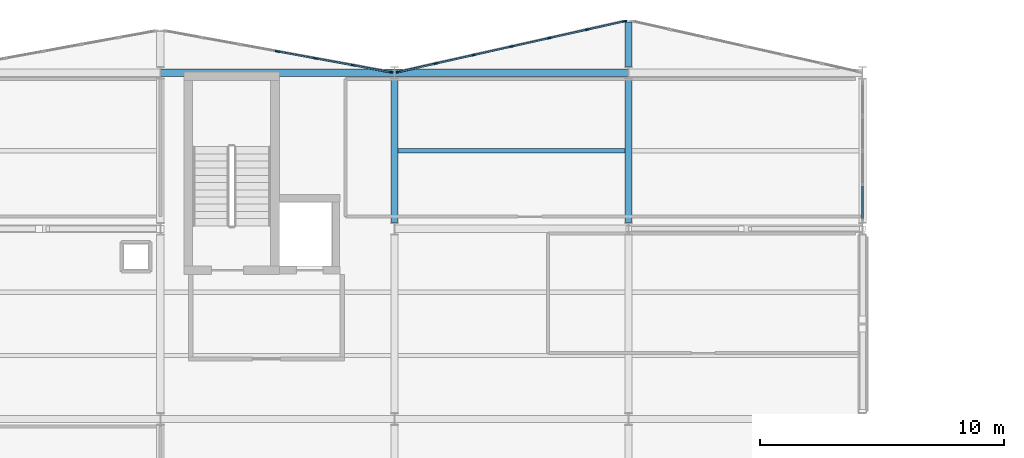
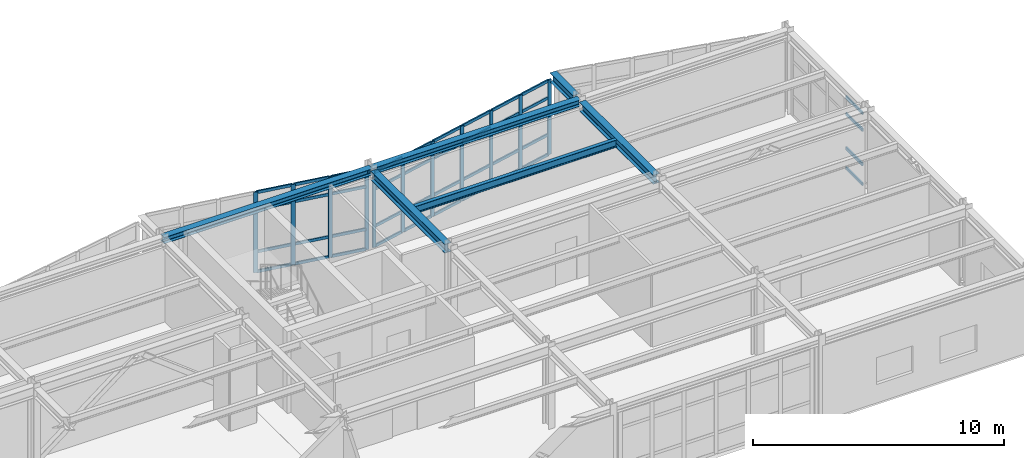
# One storey, part 41 of 76: 51 members, 6 beams, 3 elements without a shape of their own.
"""IFC4 building model written with IfcOpenShell, lengths in metres."""

from ifc_helpers import new_model, si_unit, direction, frame, origin, origin_2d, place, context, subcontext, project, spatial, rectangle, i_section, extrude, material, layer, layer_set, material_profile, profile_set, type_object, element, aggregate, save


model = new_model("IFC4")

# Units and contexts
model_context = context("Model", 3, precision=1e-05, world=origin(), true_north=direction((0.0, 1.0)))
body_context = subcontext(model_context, "Body", "Model", "MODEL_VIEW")
ifc_project = project(units=[si_unit("LENGTHUNIT", "METRE"), si_unit("AREAUNIT", "SQUARE_METRE"), si_unit("VOLUMEUNIT", "CUBIC_METRE"), si_unit("PLANEANGLEUNIT", "RADIAN"), si_unit("MASSUNIT", "GRAM", prefix="KILO")], contexts=[model_context])

# Site, building, storey
site_placement = place(None, origin())
site = spatial("IfcSite", under=ifc_project, at=site_placement, CompositionType="ELEMENT")
building_placement = place(site_placement, origin())
building = spatial("IfcBuilding", under=site, at=building_placement, Name="Nordkorset Police Headquarters", CompositionType="ELEMENT")
storey_placement = place(building_placement, frame((0.0, 0.0, 13.64990234375)))
storey = spatial("IfcBuildingStorey", under=building, at=storey_placement, Name="L03", CompositionType="ELEMENT", Elevation=13.64990234375)

# Beam
ifc_material_1 = material(Name="Steel S355J2", Category="steel")
ifc_material_profile_1 = material_profile(ifc_material_1, i_section(OverallWidth=0.169921875, OverallDepth=0.360107421875, WebThickness=0.008056640625, FlangeThickness=0.0126953125, FilletRadius=0.01806640625, at=origin_2d()), Name="IPE 360")
ifc_profile_set_1 = profile_set([ifc_material_profile_1], Name="Steel S355J2")
beam_type_1 = type_object("IfcBeamType", Name="Beam_IPE_360", PredefinedType="BEAM", material=ifc_profile_set_1)
beam_1_placement = place(storey_placement, frame((67.35009765625, 113.60009765625, 3.800048828125), z_axis=(1.0, 0.0, 0.0), x_axis=(0.0, 1.0, 0.0)))
element("IfcBeam", 1, at=beam_1_placement, inside=storey, type_object=beam_type_1, Name="Composite Floor Beam V2 L03 4-2-1", PredefinedType="BEAM", context=body_context, shape_type="SweptSolid", body=[
    extrude(i_section(OverallWidth=0.169921875, OverallDepth=0.360107421875, WebThickness=0.008056640625, FlangeThickness=0.0126953125, FilletRadius=0.01806640625, at=origin_2d()), origin(), (0.0, 0.0, 1.0), 9.2998046875),
])

# Curtain wall, members
ifc_material_2 = material(Name="Aluminium alloy AW-6060", Category="aluminium")
ifc_layer_1 = layer(ifc_material_2, 0.179931640625, Name="Aluminium alloy AW-6060")
ifc_layer_set_1 = layer_set([ifc_layer_1], Name="Aluminium alloy AW-6060")
curtain_wall_type_1 = type_object("IfcCurtainWallType", Name="CW_Unit_948x392", PredefinedType="USERDEFINED", material=ifc_layer_set_1)
curtain_wall_1_placement = place(storey_placement, origin())
curtain_wall_1 = element("IfcCurtainWall", 2, at=curtain_wall_1_placement, inside=storey, type_object=curtain_wall_type_1, Name="Unitised Curtain Wall L03 V2N-3", ObjectType="UNITISED CURTAIN WALL", PredefinedType="USERDEFINED")
ifc_material_3 = material(Name="Aluminium alloy AW-6060", Category="aluminium")
ifc_material_profile_2 = material_profile(ifc_material_3, rectangle(XDim=0.06494140625, YDim=0.179931640625, at=origin_2d()), Name="ALU MULL 65x180")
ifc_profile_set_2 = profile_set([ifc_material_profile_2], Name="Aluminium alloy AW-6060")
member_type_1 = type_object("IfcMemberType", Name="CW_Mullion_65x180", PredefinedType="MULLION", material=ifc_profile_set_2)
member_1_placement = place(storey_placement, frame((62.39990234375, 117.675048828125, 0.0), z_axis=(0.0, 0.0, 1.0), x_axis=(0.179335715876, 0.983787934979, 0.0)))
member_1 = element("IfcMember", 3, at=member_1_placement, type_object=member_type_1, Name="CW-65 mullion 4", PredefinedType="MULLION", context=body_context, shape_type="SweptSolid", body=[
    extrude(rectangle(XDim=0.06494140625, YDim=0.179931640625, at=origin_2d()), origin(), (0.0, 0.0, 1.0), 3.920166015625),
])
member_2_placement = place(storey_placement, frame((63.9541015625, 117.3916015625, 0.0), z_axis=(0.0, 0.0, 1.0), x_axis=(0.179335715876, 0.983787934979, 0.0)))
member_2 = element("IfcMember", 4, at=member_2_placement, type_object=member_type_1, Name="CW-65 mullion 5", PredefinedType="MULLION", context=body_context, shape_type="SweptSolid", body=[
    extrude(rectangle(XDim=0.06494140625, YDim=0.179931640625, at=origin_2d()), origin(), (0.0, 0.0, 1.0), 3.920166015625),
])
member_3_placement = place(storey_placement, frame((65.50830078125, 117.1083984375, 0.0), z_axis=(0.0, 0.0, 1.0), x_axis=(0.179335715876, 0.983787934979, 0.0)))
member_3 = element("IfcMember", 5, at=member_3_placement, type_object=member_type_1, Name="CW-65 mullion 6", PredefinedType="MULLION", context=body_context, shape_type="SweptSolid", body=[
    extrude(rectangle(XDim=0.06494140625, YDim=0.179931640625, at=origin_2d()), origin(), (0.0, 0.0, 1.0), 3.920166015625),
])
member_4_placement = place(storey_placement, frame((67.0302734375, 116.8310546875, 0.0), z_axis=(0.0, 0.0, 1.0), x_axis=(0.179335715876, 0.983787934979, 0.0)))
member_4 = element("IfcMember", 6, at=member_4_placement, type_object=member_type_1, Name="CW-65 mullion 7", PredefinedType="MULLION", context=body_context, shape_type="SweptSolid", body=[
    extrude(rectangle(XDim=0.06494140625, YDim=0.179931640625, at=origin_2d()), origin(), (0.0, 0.0, 1.0), 3.920166015625),
])

ifc_material_4 = material(Name="Aluminium alloy AW-6060", Category="aluminium")
ifc_layer_2 = layer(ifc_material_4, 0.179931640625, Name="Aluminium alloy AW-6060")
ifc_layer_set_2 = layer_set([ifc_layer_2], Name="Aluminium alloy AW-6060")
curtain_wall_type_2 = type_object("IfcCurtainWallType", Name="CW_Unit_956x365", PredefinedType="USERDEFINED", material=ifc_layer_set_2)
curtain_wall_2_placement = place(storey_placement, origin())
curtain_wall_2 = element("IfcCurtainWall", 7, at=curtain_wall_2_placement, inside=storey, type_object=curtain_wall_type_2, Name="Unitised Curtain Wall L03 V2N-4", ObjectType="UNITISED CURTAIN WALL", PredefinedType="USERDEFINED")
member_5_placement = place(storey_placement, frame((67.368408203125, 116.837646484375, 0.0), z_axis=(0.0, 0.0, 1.0), x_axis=(-0.218544020358, 0.975827090814, 0.0)))
member_5 = element("IfcMember", 8, at=member_5_placement, type_object=member_type_1, Name="CW-85 mullion 1", PredefinedType="MULLION", context=body_context, shape_type="SweptSolid", body=[
    extrude(rectangle(XDim=0.06494140625, YDim=0.179931640625, at=origin_2d()), origin(), (0.0, 0.0, 1.0), 3.650146484375),
])
member_6_placement = place(storey_placement, frame((68.89111328125, 117.1787109375, 0.0), z_axis=(0.0, 0.0, 1.0), x_axis=(-0.218544020358, 0.975827090814, 0.0)))
member_6 = element("IfcMember", 9, at=member_6_placement, type_object=member_type_1, Name="CW-85 mullion 2", PredefinedType="MULLION", context=body_context, shape_type="SweptSolid", body=[
    extrude(rectangle(XDim=0.06494140625, YDim=0.179931640625, at=origin_2d()), origin(), (0.0, 0.0, 1.0), 3.650146484375),
])
member_7_placement = place(storey_placement, frame((70.445556640625, 117.52685546875, 0.0), z_axis=(0.0, 0.0, 1.0), x_axis=(-0.218544020358, 0.975827090814, 0.0)))
member_7 = element("IfcMember", 10, at=member_7_placement, type_object=member_type_1, Name="CW-85 mullion 3", PredefinedType="MULLION", context=body_context, shape_type="SweptSolid", body=[
    extrude(rectangle(XDim=0.06494140625, YDim=0.179931640625, at=origin_2d()), origin(), (0.0, 0.0, 1.0), 3.650146484375),
])
member_8_placement = place(storey_placement, frame((72.0, 117.875, 0.0), z_axis=(0.0, 0.0, 1.0), x_axis=(-0.218544020358, 0.975827090814, 0.0)))
member_8 = element("IfcMember", 11, at=member_8_placement, type_object=member_type_1, Name="CW-85 mullion 4", PredefinedType="MULLION", context=body_context, shape_type="SweptSolid", body=[
    extrude(rectangle(XDim=0.06494140625, YDim=0.179931640625, at=origin_2d()), origin(), (0.0, 0.0, 1.0), 3.650146484375),
])
member_9_placement = place(storey_placement, frame((73.554443359375, 118.22314453125, 0.0), z_axis=(0.0, 0.0, 1.0), x_axis=(-0.218544020358, 0.975827090814, 0.0)))
member_9 = element("IfcMember", 12, at=member_9_placement, type_object=member_type_1, Name="CW-85 mullion 5", PredefinedType="MULLION", context=body_context, shape_type="SweptSolid", body=[
    extrude(rectangle(XDim=0.06494140625, YDim=0.179931640625, at=origin_2d()), origin(), (0.0, 0.0, 1.0), 3.650146484375),
])
member_10_placement = place(storey_placement, frame((75.10888671875, 118.5712890625, 0.0), z_axis=(0.0, 0.0, 1.0), x_axis=(-0.218544020358, 0.975827090814, 0.0)))
member_10 = element("IfcMember", 13, at=member_10_placement, type_object=member_type_1, Name="CW-85 mullion 6", PredefinedType="MULLION", context=body_context, shape_type="SweptSolid", body=[
    extrude(rectangle(XDim=0.06494140625, YDim=0.179931640625, at=origin_2d()), origin(), (0.0, 0.0, 1.0), 3.650146484375),
])
member_11_placement = place(storey_placement, frame((76.631591796875, 118.912353515625, 0.0), z_axis=(0.0, 0.0, 1.0), x_axis=(-0.218544020358, 0.975827090814, 0.0)))
member_11 = element("IfcMember", 14, at=member_11_placement, type_object=member_type_1, Name="CW-85 mullion 7", PredefinedType="MULLION", context=body_context, shape_type="SweptSolid", body=[
    extrude(rectangle(XDim=0.06494140625, YDim=0.179931640625, at=origin_2d()), origin(), (0.0, 0.0, 1.0), 3.650146484375),
])

# Member
ifc_material_5 = material(Name="Aluminium alloy AW-6060", Category="aluminium")
ifc_material_profile_3 = material_profile(ifc_material_5, rectangle(XDim=0.06494140625, YDim=0.139892578125, at=origin_2d()), Name="ALU TRAN 65x140")
ifc_profile_set_3 = profile_set([ifc_material_profile_3], Name="Aluminium alloy AW-6060")
member_type_2 = type_object("IfcMemberType", Name="CW_Transom_65x140", PredefinedType="USERDEFINED", material=ifc_profile_set_3)
member_12_placement = place(storey_placement, frame((62.431884765625, 117.669189453125, 0.03271484375), z_axis=(0.983779529869, -0.179381817946, 0.0), x_axis=(0.179381817946, 0.983779529869, 0.0)))
member_12 = element("IfcMember", 15, at=member_12_placement, type_object=member_type_2, Name="CW-65 transom 4.1", ObjectType="TRANSOM", PredefinedType="USERDEFINED", context=body_context, shape_type="SweptSolid", body=[
    extrude(rectangle(XDim=0.06494140625, YDim=0.139892578125, at=origin_2d()), origin(), (0.0, 0.0, 1.0), 1.514892578125),
])

member_13_placement = place(storey_placement, frame((62.431884765625, 117.669189453125, 1.0), z_axis=(0.983779529869, -0.179381817946, 0.0), x_axis=(0.179381817946, 0.983779529869, 0.0)))
member_13 = element("IfcMember", 16, at=member_13_placement, type_object=member_type_2, Name="CW-65 transom 4.2", ObjectType="TRANSOM", PredefinedType="USERDEFINED", context=body_context, shape_type="SweptSolid", body=[
    extrude(rectangle(XDim=0.06494140625, YDim=0.139892578125, at=origin_2d()), origin(), (0.0, 0.0, 1.0), 1.514892578125),
])

member_14_placement = place(storey_placement, frame((62.431884765625, 117.669189453125, 3.070068359375), z_axis=(0.983779529869, -0.179381817946, 0.0), x_axis=(0.179381817946, 0.983779529869, 0.0)))
member_14 = element("IfcMember", 17, at=member_14_placement, type_object=member_type_2, Name="CW-65 transom 4.3", ObjectType="TRANSOM", PredefinedType="USERDEFINED", context=body_context, shape_type="SweptSolid", body=[
    extrude(rectangle(XDim=0.06494140625, YDim=0.139892578125, at=origin_2d()), origin(), (0.0, 0.0, 1.0), 1.514892578125),
])

member_15_placement = place(storey_placement, frame((62.431884765625, 117.669189453125, 3.8876953125), z_axis=(0.983779529869, -0.179381817946, 0.0), x_axis=(0.179381817946, 0.983779529869, 0.0)))
member_15 = element("IfcMember", 18, at=member_15_placement, type_object=member_type_2, Name="CW-65 transom 4.4", ObjectType="TRANSOM", PredefinedType="USERDEFINED", context=body_context, shape_type="SweptSolid", body=[
    extrude(rectangle(XDim=0.06494140625, YDim=0.139892578125, at=origin_2d()), origin(), (0.0, 0.0, 1.0), 1.514892578125),
])

member_16_placement = place(storey_placement, frame((63.986083984375, 117.385986328125, 0.03271484375), z_axis=(0.983779529869, -0.179381817946, 0.0), x_axis=(0.179381817946, 0.983779529869, 0.0)))
member_16 = element("IfcMember", 19, at=member_16_placement, type_object=member_type_2, Name="CW-65 transom 5.1", ObjectType="TRANSOM", PredefinedType="USERDEFINED", context=body_context, shape_type="SweptSolid", body=[
    extrude(rectangle(XDim=0.06494140625, YDim=0.139892578125, at=origin_2d()), origin(), (0.0, 0.0, 1.0), 1.514892578125),
])

member_17_placement = place(storey_placement, frame((63.986083984375, 117.385986328125, 1.0), z_axis=(0.983779529869, -0.179381817946, 0.0), x_axis=(0.179381817946, 0.983779529869, 0.0)))
member_17 = element("IfcMember", 20, at=member_17_placement, type_object=member_type_2, Name="CW-65 transom 5.2", ObjectType="TRANSOM", PredefinedType="USERDEFINED", context=body_context, shape_type="SweptSolid", body=[
    extrude(rectangle(XDim=0.06494140625, YDim=0.139892578125, at=origin_2d()), origin(), (0.0, 0.0, 1.0), 1.514892578125),
])

member_18_placement = place(storey_placement, frame((63.986083984375, 117.385986328125, 3.070068359375), z_axis=(0.983779529869, -0.179381817946, 0.0), x_axis=(0.179381817946, 0.983779529869, 0.0)))
member_18 = element("IfcMember", 21, at=member_18_placement, type_object=member_type_2, Name="CW-65 transom 5.3", ObjectType="TRANSOM", PredefinedType="USERDEFINED", context=body_context, shape_type="SweptSolid", body=[
    extrude(rectangle(XDim=0.06494140625, YDim=0.139892578125, at=origin_2d()), origin(), (0.0, 0.0, 1.0), 1.514892578125),
])

member_19_placement = place(storey_placement, frame((63.986083984375, 117.385986328125, 3.8876953125), z_axis=(0.983779529869, -0.179381817946, 0.0), x_axis=(0.179381817946, 0.983779529869, 0.0)))
member_19 = element("IfcMember", 22, at=member_19_placement, type_object=member_type_2, Name="CW-65 transom 5.4", ObjectType="TRANSOM", PredefinedType="USERDEFINED", context=body_context, shape_type="SweptSolid", body=[
    extrude(rectangle(XDim=0.06494140625, YDim=0.139892578125, at=origin_2d()), origin(), (0.0, 0.0, 1.0), 1.514892578125),
])

member_20_placement = place(storey_placement, frame((65.5400390625, 117.1025390625, 0.03271484375), z_axis=(0.98378282961, -0.179363720316, 0.0), x_axis=(0.179363720316, 0.98378282961, 0.0)))
member_20 = element("IfcMember", 23, at=member_20_placement, type_object=member_type_2, Name="CW-65 transom 6.1", ObjectType="TRANSOM", PredefinedType="USERDEFINED", context=body_context, shape_type="SweptSolid", body=[
    extrude(rectangle(XDim=0.06494140625, YDim=0.139892578125, at=origin_2d()), origin(), (0.0, 0.0, 1.0), 1.482177734375),
])

member_21_placement = place(storey_placement, frame((65.5400390625, 117.1025390625, 1.0), z_axis=(0.98378282961, -0.179363720316, 0.0), x_axis=(0.179363720316, 0.98378282961, 0.0)))
member_21 = element("IfcMember", 24, at=member_21_placement, type_object=member_type_2, Name="CW-65 transom 6.2", ObjectType="TRANSOM", PredefinedType="USERDEFINED", context=body_context, shape_type="SweptSolid", body=[
    extrude(rectangle(XDim=0.06494140625, YDim=0.139892578125, at=origin_2d()), origin(), (0.0, 0.0, 1.0), 1.482177734375),
])

member_22_placement = place(storey_placement, frame((65.5400390625, 117.1025390625, 3.070068359375), z_axis=(0.98378282961, -0.179363720316, 0.0), x_axis=(0.179363720316, 0.98378282961, 0.0)))
member_22 = element("IfcMember", 25, at=member_22_placement, type_object=member_type_2, Name="CW-65 transom 6.3", ObjectType="TRANSOM", PredefinedType="USERDEFINED", context=body_context, shape_type="SweptSolid", body=[
    extrude(rectangle(XDim=0.06494140625, YDim=0.139892578125, at=origin_2d()), origin(), (0.0, 0.0, 1.0), 1.482177734375),
])

member_23_placement = place(storey_placement, frame((65.5400390625, 117.1025390625, 3.8876953125), z_axis=(0.98378282961, -0.179363720316, 0.0), x_axis=(0.179363720316, 0.98378282961, 0.0)))
member_23 = element("IfcMember", 26, at=member_23_placement, type_object=member_type_2, Name="CW-65 transom 6.4", ObjectType="TRANSOM", PredefinedType="USERDEFINED", context=body_context, shape_type="SweptSolid", body=[
    extrude(rectangle(XDim=0.06494140625, YDim=0.139892578125, at=origin_2d()), origin(), (0.0, 0.0, 1.0), 1.482177734375),
])

aggregate(curtain_wall_1, [member_1, member_2, member_3, member_4, member_12, member_13, member_14, member_15, member_16, member_17, member_18, member_19, member_20, member_21, member_22, member_23])

member_24_placement = place(storey_placement, frame((67.400146484375, 116.8447265625, 0.03271484375), z_axis=(0.975813000089, 0.218606927743, 0.0), x_axis=(-0.218606927743, 0.975813000089, 0.0)))
member_24 = element("IfcMember", 27, at=member_24_placement, type_object=member_type_2, Name="CW-85 transom 1.1", ObjectType="TRANSOM", PredefinedType="USERDEFINED", context=body_context, shape_type="SweptSolid", body=[
    extrude(rectangle(XDim=0.06494140625, YDim=0.139892578125, at=origin_2d()), origin(), (0.0, 0.0, 1.0), 1.495361328125),
])

member_25_placement = place(storey_placement, frame((67.400146484375, 116.8447265625, 1.0), z_axis=(0.975813000089, 0.218606927743, 0.0), x_axis=(-0.218606927743, 0.975813000089, 0.0)))
member_25 = element("IfcMember", 28, at=member_25_placement, type_object=member_type_2, Name="CW-85 transom 1.2", ObjectType="TRANSOM", PredefinedType="USERDEFINED", context=body_context, shape_type="SweptSolid", body=[
    extrude(rectangle(XDim=0.06494140625, YDim=0.139892578125, at=origin_2d()), origin(), (0.0, 0.0, 1.0), 1.495361328125),
])

member_26_placement = place(storey_placement, frame((67.400146484375, 116.8447265625, 2.800048828125), z_axis=(0.975813000089, 0.218606927743, 0.0), x_axis=(-0.218606927743, 0.975813000089, 0.0)))
member_26 = element("IfcMember", 29, at=member_26_placement, type_object=member_type_2, Name="CW-85 transom 1.3", ObjectType="TRANSOM", PredefinedType="USERDEFINED", context=body_context, shape_type="SweptSolid", body=[
    extrude(rectangle(XDim=0.06494140625, YDim=0.139892578125, at=origin_2d()), origin(), (0.0, 0.0, 1.0), 1.495361328125),
])

member_27_placement = place(storey_placement, frame((67.400146484375, 116.8447265625, 3.61767578125), z_axis=(0.975813000089, 0.218606927743, 0.0), x_axis=(-0.218606927743, 0.975813000089, 0.0)))
member_27 = element("IfcMember", 30, at=member_27_placement, type_object=member_type_2, Name="CW-85 transom 1.4", ObjectType="TRANSOM", PredefinedType="USERDEFINED", context=body_context, shape_type="SweptSolid", body=[
    extrude(rectangle(XDim=0.06494140625, YDim=0.139892578125, at=origin_2d()), origin(), (0.0, 0.0, 1.0), 1.495361328125),
])

member_28_placement = place(storey_placement, frame((68.9228515625, 117.185791015625, 0.03271484375), z_axis=(0.975817202869, 0.218588166616, 0.0), x_axis=(-0.218588166616, 0.975817202869, 0.0)))
member_28 = element("IfcMember", 31, at=member_28_placement, type_object=member_type_2, Name="CW-85 transom 2.1", ObjectType="TRANSOM", PredefinedType="USERDEFINED", context=body_context, shape_type="SweptSolid", body=[
    extrude(rectangle(XDim=0.06494140625, YDim=0.139892578125, at=origin_2d()), origin(), (0.0, 0.0, 1.0), 1.52783203125),
])

member_29_placement = place(storey_placement, frame((68.9228515625, 117.185791015625, 1.0), z_axis=(0.975817202869, 0.218588166616, 0.0), x_axis=(-0.218588166616, 0.975817202869, 0.0)))
member_29 = element("IfcMember", 32, at=member_29_placement, type_object=member_type_2, Name="CW-85 transom 2.2", ObjectType="TRANSOM", PredefinedType="USERDEFINED", context=body_context, shape_type="SweptSolid", body=[
    extrude(rectangle(XDim=0.06494140625, YDim=0.139892578125, at=origin_2d()), origin(), (0.0, 0.0, 1.0), 1.52783203125),
])

member_30_placement = place(storey_placement, frame((68.9228515625, 117.185791015625, 2.800048828125), z_axis=(0.975817202869, 0.218588166616, 0.0), x_axis=(-0.218588166616, 0.975817202869, 0.0)))
member_30 = element("IfcMember", 33, at=member_30_placement, type_object=member_type_2, Name="CW-85 transom 2.3", ObjectType="TRANSOM", PredefinedType="USERDEFINED", context=body_context, shape_type="SweptSolid", body=[
    extrude(rectangle(XDim=0.06494140625, YDim=0.139892578125, at=origin_2d()), origin(), (0.0, 0.0, 1.0), 1.52783203125),
])

member_31_placement = place(storey_placement, frame((68.9228515625, 117.185791015625, 3.61767578125), z_axis=(0.975817202869, 0.218588166616, 0.0), x_axis=(-0.218588166616, 0.975817202869, 0.0)))
member_31 = element("IfcMember", 34, at=member_31_placement, type_object=member_type_2, Name="CW-85 transom 2.4", ObjectType="TRANSOM", PredefinedType="USERDEFINED", context=body_context, shape_type="SweptSolid", body=[
    extrude(rectangle(XDim=0.06494140625, YDim=0.139892578125, at=origin_2d()), origin(), (0.0, 0.0, 1.0), 1.52783203125),
])

member_32_placement = place(storey_placement, frame((70.477294921875, 117.533935546875, 0.03271484375), z_axis=(0.975817202869, 0.218588166616, 0.0), x_axis=(-0.218588166616, 0.975817202869, 0.0)))
member_32 = element("IfcMember", 35, at=member_32_placement, type_object=member_type_2, Name="CW-85 transom 3.1", ObjectType="TRANSOM", PredefinedType="USERDEFINED", context=body_context, shape_type="SweptSolid", body=[
    extrude(rectangle(XDim=0.06494140625, YDim=0.139892578125, at=origin_2d()), origin(), (0.0, 0.0, 1.0), 1.52783203125),
])

member_33_placement = place(storey_placement, frame((70.477294921875, 117.533935546875, 1.0), z_axis=(0.975817202869, 0.218588166616, 0.0), x_axis=(-0.218588166616, 0.975817202869, 0.0)))
member_33 = element("IfcMember", 36, at=member_33_placement, type_object=member_type_2, Name="CW-85 transom 3.2", ObjectType="TRANSOM", PredefinedType="USERDEFINED", context=body_context, shape_type="SweptSolid", body=[
    extrude(rectangle(XDim=0.06494140625, YDim=0.139892578125, at=origin_2d()), origin(), (0.0, 0.0, 1.0), 1.52783203125),
])

member_34_placement = place(storey_placement, frame((70.477294921875, 117.533935546875, 2.800048828125), z_axis=(0.975817202869, 0.218588166616, 0.0), x_axis=(-0.218588166616, 0.975817202869, 0.0)))
member_34 = element("IfcMember", 37, at=member_34_placement, type_object=member_type_2, Name="CW-85 transom 3.3", ObjectType="TRANSOM", PredefinedType="USERDEFINED", context=body_context, shape_type="SweptSolid", body=[
    extrude(rectangle(XDim=0.06494140625, YDim=0.139892578125, at=origin_2d()), origin(), (0.0, 0.0, 1.0), 1.52783203125),
])

member_35_placement = place(storey_placement, frame((70.477294921875, 117.533935546875, 3.61767578125), z_axis=(0.975817202869, 0.218588166616, 0.0), x_axis=(-0.218588166616, 0.975817202869, 0.0)))
member_35 = element("IfcMember", 38, at=member_35_placement, type_object=member_type_2, Name="CW-85 transom 3.4", ObjectType="TRANSOM", PredefinedType="USERDEFINED", context=body_context, shape_type="SweptSolid", body=[
    extrude(rectangle(XDim=0.06494140625, YDim=0.139892578125, at=origin_2d()), origin(), (0.0, 0.0, 1.0), 1.52783203125),
])

member_36_placement = place(storey_placement, frame((72.03173828125, 117.882080078125, 0.03271484375), z_axis=(0.975817202869, 0.218588166616, 0.0), x_axis=(-0.218588166616, 0.975817202869, 0.0)))
member_36 = element("IfcMember", 39, at=member_36_placement, type_object=member_type_2, Name="CW-85 transom 4.1", ObjectType="TRANSOM", PredefinedType="USERDEFINED", context=body_context, shape_type="SweptSolid", body=[
    extrude(rectangle(XDim=0.06494140625, YDim=0.139892578125, at=origin_2d()), origin(), (0.0, 0.0, 1.0), 1.52783203125),
])

member_37_placement = place(storey_placement, frame((72.03173828125, 117.882080078125, 1.0), z_axis=(0.975817202869, 0.218588166616, 0.0), x_axis=(-0.218588166616, 0.975817202869, 0.0)))
member_37 = element("IfcMember", 40, at=member_37_placement, type_object=member_type_2, Name="CW-85 transom 4.2", ObjectType="TRANSOM", PredefinedType="USERDEFINED", context=body_context, shape_type="SweptSolid", body=[
    extrude(rectangle(XDim=0.06494140625, YDim=0.139892578125, at=origin_2d()), origin(), (0.0, 0.0, 1.0), 1.52783203125),
])

member_38_placement = place(storey_placement, frame((72.03173828125, 117.882080078125, 2.800048828125), z_axis=(0.975817202869, 0.218588166616, 0.0), x_axis=(-0.218588166616, 0.975817202869, 0.0)))
member_38 = element("IfcMember", 41, at=member_38_placement, type_object=member_type_2, Name="CW-85 transom 4.3", ObjectType="TRANSOM", PredefinedType="USERDEFINED", context=body_context, shape_type="SweptSolid", body=[
    extrude(rectangle(XDim=0.06494140625, YDim=0.139892578125, at=origin_2d()), origin(), (0.0, 0.0, 1.0), 1.52783203125),
])

member_39_placement = place(storey_placement, frame((72.03173828125, 117.882080078125, 3.61767578125), z_axis=(0.975817202869, 0.218588166616, 0.0), x_axis=(-0.218588166616, 0.975817202869, 0.0)))
member_39 = element("IfcMember", 42, at=member_39_placement, type_object=member_type_2, Name="CW-85 transom 4.4", ObjectType="TRANSOM", PredefinedType="USERDEFINED", context=body_context, shape_type="SweptSolid", body=[
    extrude(rectangle(XDim=0.06494140625, YDim=0.139892578125, at=origin_2d()), origin(), (0.0, 0.0, 1.0), 1.52783203125),
])

member_40_placement = place(storey_placement, frame((73.586181640625, 118.230224609375, 0.03271484375), z_axis=(0.975817202869, 0.218588166616, 0.0), x_axis=(-0.218588166616, 0.975817202869, 0.0)))
member_40 = element("IfcMember", 43, at=member_40_placement, type_object=member_type_2, Name="CW-85 transom 5.1", ObjectType="TRANSOM", PredefinedType="USERDEFINED", context=body_context, shape_type="SweptSolid", body=[
    extrude(rectangle(XDim=0.06494140625, YDim=0.139892578125, at=origin_2d()), origin(), (0.0, 0.0, 1.0), 1.52783203125),
])

member_41_placement = place(storey_placement, frame((73.586181640625, 118.230224609375, 1.0), z_axis=(0.975817202869, 0.218588166616, 0.0), x_axis=(-0.218588166616, 0.975817202869, 0.0)))
member_41 = element("IfcMember", 44, at=member_41_placement, type_object=member_type_2, Name="CW-85 transom 5.2", ObjectType="TRANSOM", PredefinedType="USERDEFINED", context=body_context, shape_type="SweptSolid", body=[
    extrude(rectangle(XDim=0.06494140625, YDim=0.139892578125, at=origin_2d()), origin(), (0.0, 0.0, 1.0), 1.52783203125),
])

member_42_placement = place(storey_placement, frame((73.586181640625, 118.230224609375, 2.800048828125), z_axis=(0.975817202869, 0.218588166616, 0.0), x_axis=(-0.218588166616, 0.975817202869, 0.0)))
member_42 = element("IfcMember", 45, at=member_42_placement, type_object=member_type_2, Name="CW-85 transom 5.3", ObjectType="TRANSOM", PredefinedType="USERDEFINED", context=body_context, shape_type="SweptSolid", body=[
    extrude(rectangle(XDim=0.06494140625, YDim=0.139892578125, at=origin_2d()), origin(), (0.0, 0.0, 1.0), 1.52783203125),
])

member_43_placement = place(storey_placement, frame((73.586181640625, 118.230224609375, 3.61767578125), z_axis=(0.975817202869, 0.218588166616, 0.0), x_axis=(-0.218588166616, 0.975817202869, 0.0)))
member_43 = element("IfcMember", 46, at=member_43_placement, type_object=member_type_2, Name="CW-85 transom 5.4", ObjectType="TRANSOM", PredefinedType="USERDEFINED", context=body_context, shape_type="SweptSolid", body=[
    extrude(rectangle(XDim=0.06494140625, YDim=0.139892578125, at=origin_2d()), origin(), (0.0, 0.0, 1.0), 1.52783203125),
])

member_44_placement = place(storey_placement, frame((75.140625, 118.578369140625, 0.03271484375), z_axis=(0.975813000089, 0.218606927743, 0.0), x_axis=(-0.218606927743, 0.975813000089, 0.0)))
member_44 = element("IfcMember", 47, at=member_44_placement, type_object=member_type_2, Name="CW-85 transom 6.1", ObjectType="TRANSOM", PredefinedType="USERDEFINED", context=body_context, shape_type="SweptSolid", body=[
    extrude(rectangle(XDim=0.06494140625, YDim=0.139892578125, at=origin_2d()), origin(), (0.0, 0.0, 1.0), 1.495361328125),
])

member_45_placement = place(storey_placement, frame((75.140625, 118.578369140625, 1.0), z_axis=(0.975813000089, 0.218606927743, 0.0), x_axis=(-0.218606927743, 0.975813000089, 0.0)))
member_45 = element("IfcMember", 48, at=member_45_placement, type_object=member_type_2, Name="CW-85 transom 6.2", ObjectType="TRANSOM", PredefinedType="USERDEFINED", context=body_context, shape_type="SweptSolid", body=[
    extrude(rectangle(XDim=0.06494140625, YDim=0.139892578125, at=origin_2d()), origin(), (0.0, 0.0, 1.0), 1.495361328125),
])

member_46_placement = place(storey_placement, frame((75.140625, 118.578369140625, 2.800048828125), z_axis=(0.975813000089, 0.218606927743, 0.0), x_axis=(-0.218606927743, 0.975813000089, 0.0)))
member_46 = element("IfcMember", 49, at=member_46_placement, type_object=member_type_2, Name="CW-85 transom 6.3", ObjectType="TRANSOM", PredefinedType="USERDEFINED", context=body_context, shape_type="SweptSolid", body=[
    extrude(rectangle(XDim=0.06494140625, YDim=0.139892578125, at=origin_2d()), origin(), (0.0, 0.0, 1.0), 1.495361328125),
])

member_47_placement = place(storey_placement, frame((75.140625, 118.578369140625, 3.61767578125), z_axis=(0.975813000089, 0.218606927743, 0.0), x_axis=(-0.218606927743, 0.975813000089, 0.0)))
member_47 = element("IfcMember", 50, at=member_47_placement, type_object=member_type_2, Name="CW-85 transom 6.4", ObjectType="TRANSOM", PredefinedType="USERDEFINED", context=body_context, shape_type="SweptSolid", body=[
    extrude(rectangle(XDim=0.06494140625, YDim=0.139892578125, at=origin_2d()), origin(), (0.0, 0.0, 1.0), 1.495361328125),
])

aggregate(curtain_wall_2, [member_5, member_6, member_7, member_8, member_9, member_10, member_11, member_24, member_25, member_26, member_27, member_28, member_29, member_30, member_31, member_32, member_33, member_34, member_35, member_36, member_37, member_38, member_39, member_40, member_41, member_42, member_43, member_44, member_45, member_46, member_47])

# Curtain wall, members
ifc_material_6 = material(Name="Aluminium alloy AW-6060", Category="aluminium")
ifc_layer_3 = layer(ifc_material_6, 0.179931640625, Name="Aluminium alloy AW-6060")
ifc_layer_set_3 = layer_set([ifc_layer_3], Name="Aluminium alloy AW-6060")
curtain_wall_type_3 = type_object("IfcCurtainWallType", Name="CW_Unit_568x352", PredefinedType="USERDEFINED", material=ifc_layer_set_3)
curtain_wall_3_placement = place(storey_placement, origin())
curtain_wall_3 = element("IfcCurtainWall", 51, at=curtain_wall_3_placement, inside=storey, type_object=curtain_wall_type_3, Name="Unitised Curtain Wall L03 V2E-1", ObjectType="UNITISED CURTAIN WALL", PredefinedType="USERDEFINED")
member_48_placement = place(storey_placement, frame((86.39990234375, 110.824951171875, 0.03271484375), z_axis=(0.0, 1.0, 0.0), x_axis=(-1.0, 0.0, 0.0)))
member_48 = element("IfcMember", 52, at=member_48_placement, type_object=member_type_2, Name="CW-05 transom 1.1", ObjectType="TRANSOM", PredefinedType="USERDEFINED", context=body_context, shape_type="SweptSolid", body=[
    extrude(rectangle(XDim=0.06494140625, YDim=0.139892578125, at=origin_2d()), origin(), (0.0, 0.0, 1.0), 1.322509765625),
])
member_49_placement = place(storey_placement, frame((86.39990234375, 110.824951171875, 1.0), z_axis=(0.0, 1.0, 0.0), x_axis=(-1.0, 0.0, 0.0)))
member_49 = element("IfcMember", 53, at=member_49_placement, type_object=member_type_2, Name="CW-05 transom 1.2", ObjectType="TRANSOM", PredefinedType="USERDEFINED", context=body_context, shape_type="SweptSolid", body=[
    extrude(rectangle(XDim=0.06494140625, YDim=0.139892578125, at=origin_2d()), origin(), (0.0, 0.0, 1.0), 1.322509765625),
])
member_50_placement = place(storey_placement, frame((86.39990234375, 110.824951171875, 2.670166015625), z_axis=(0.0, 1.0, 0.0), x_axis=(-1.0, 0.0, 0.0)))
member_50 = element("IfcMember", 54, at=member_50_placement, type_object=member_type_2, Name="CW-05 transom 1.3", ObjectType="TRANSOM", PredefinedType="USERDEFINED", context=body_context, shape_type="SweptSolid", body=[
    extrude(rectangle(XDim=0.06494140625, YDim=0.139892578125, at=origin_2d()), origin(), (0.0, 0.0, 1.0), 1.322509765625),
])
member_51_placement = place(storey_placement, frame((86.39990234375, 110.824951171875, 3.487548828125), z_axis=(0.0, 1.0, 0.0), x_axis=(-1.0, 0.0, 0.0)))
member_51 = element("IfcMember", 55, at=member_51_placement, type_object=member_type_2, Name="CW-05 transom 1.4", ObjectType="TRANSOM", PredefinedType="USERDEFINED", context=body_context, shape_type="SweptSolid", body=[
    extrude(rectangle(XDim=0.06494140625, YDim=0.139892578125, at=origin_2d()), origin(), (0.0, 0.0, 1.0), 1.322509765625),
])
aggregate(curtain_wall_3, [member_48, member_49, member_50, member_51])

# Beams
ifc_material_7 = material(Name="Steel S355J2", Category="steel")
ifc_material_profile_4 = material_profile(ifc_material_7, i_section(OverallWidth=0.300048828125, OverallDepth=0.43994140625, WebThickness=0.011474609375, FlangeThickness=0.02099609375, FilletRadius=0.027099609375, at=origin_2d()), Name="HEA 450")
ifc_profile_set_4 = profile_set([ifc_material_profile_4], Name="Steel S355J2")
beam_type_2 = type_object("IfcBeamType", Name="Girder_HEA_450", PredefinedType="USERDEFINED", material=ifc_profile_set_4)
for number, where, z_axis, x_axis, name in (
    (56, (67.199951171875, 110.64990234375, 3.760009765625), (0.0, 1.0, 0.0), (-1.0, 0.0, 0.0), "Girder V2 L03 GY-4-2"),
    (57, (76.800048828125, 110.64990234375, 3.760009765625), (0.0, 1.0, 0.0), (-1.0, 0.0, 0.0), "Girder V2 L03 GY-5-2"),
):
    element("IfcBeam", number, at=place(storey_placement, frame(where, z_axis=z_axis, x_axis=x_axis)), inside=storey, type_object=beam_type_2, Name=name, ObjectType="GIRDER", PredefinedType="USERDEFINED", context=body_context, shape_type="SweptSolid", body=[
        extrude(i_section(OverallWidth=0.300048828125, OverallDepth=0.43994140625, WebThickness=0.011474609375, FlangeThickness=0.02099609375, FilletRadius=0.027099609375, at=origin_2d()), origin(), (0.0, 0.0, 1.0), 5.900146484375),
    ])
beam_2_placement = place(storey_placement, frame((76.800048828125, 117.050048828125, 3.760009765625), z_axis=(0.0, 1.0, 0.0), x_axis=(-1.0, 0.0, 0.0)))
element("IfcBeam", 58, at=beam_2_placement, inside=storey, type_object=beam_type_2, Name="Sawtooth Facade Outrigger V2 L03 76", ObjectType="GIRDER", PredefinedType="USERDEFINED", context=body_context, shape_type="SweptSolid", body=[
    extrude(i_section(OverallWidth=0.300048828125, OverallDepth=0.43994140625, WebThickness=0.011474609375, FlangeThickness=0.02099609375, FilletRadius=0.027099609375, at=origin_2d()), origin(), (0.0, 0.0, 1.0), 1.83984375),
])
ifc_material_8 = material(Name="Steel S355J2", Category="steel")
ifc_material_profile_5 = material_profile(ifc_material_8, i_section(OverallWidth=0.300048828125, OverallDepth=0.31005859375, WebThickness=0.009033203125, FlangeThickness=0.015380859375, FilletRadius=0.027099609375, at=origin_2d()), Name="HEA 320")
ifc_profile_set_5 = profile_set([ifc_material_profile_5], Name="Steel S355J2")
beam_type_3 = type_object("IfcBeamType", Name="Spandrel_HEA_320", PredefinedType="SPANDREL", material=ifc_profile_set_5)
beam_3_placement = place(storey_placement, frame((57.607421875, 116.800048828125, 3.8251953125), z_axis=(1.0, 0.0, 0.0), x_axis=(0.0, 1.0, 0.0)))
element("IfcBeam", 59, at=beam_3_placement, inside=storey, type_object=beam_type_3, Name="Girder V2 L03 GX-3-3", PredefinedType="SPANDREL", context=body_context, shape_type="SweptSolid", body=[
    extrude(i_section(OverallWidth=0.300048828125, OverallDepth=0.31005859375, WebThickness=0.009033203125, FlangeThickness=0.015380859375, FilletRadius=0.027099609375, at=origin_2d()), origin(), (0.0, 0.0, 1.0), 9.585205078125),
])
beam_4_placement = place(storey_placement, frame((67.207275390625, 116.800048828125, 3.8251953125), z_axis=(1.0, 0.0, 0.0), x_axis=(0.0, 1.0, 0.0)))
element("IfcBeam", 60, at=beam_4_placement, inside=storey, type_object=beam_type_3, Name="Girder V2 L03 GX-3-4", PredefinedType="SPANDREL", context=body_context, shape_type="SweptSolid", body=[
    extrude(i_section(OverallWidth=0.300048828125, OverallDepth=0.31005859375, WebThickness=0.009033203125, FlangeThickness=0.015380859375, FilletRadius=0.027099609375, at=origin_2d()), origin(), (0.0, 0.0, 1.0), 9.58544921875),
])

save(model, "model.ifc")
